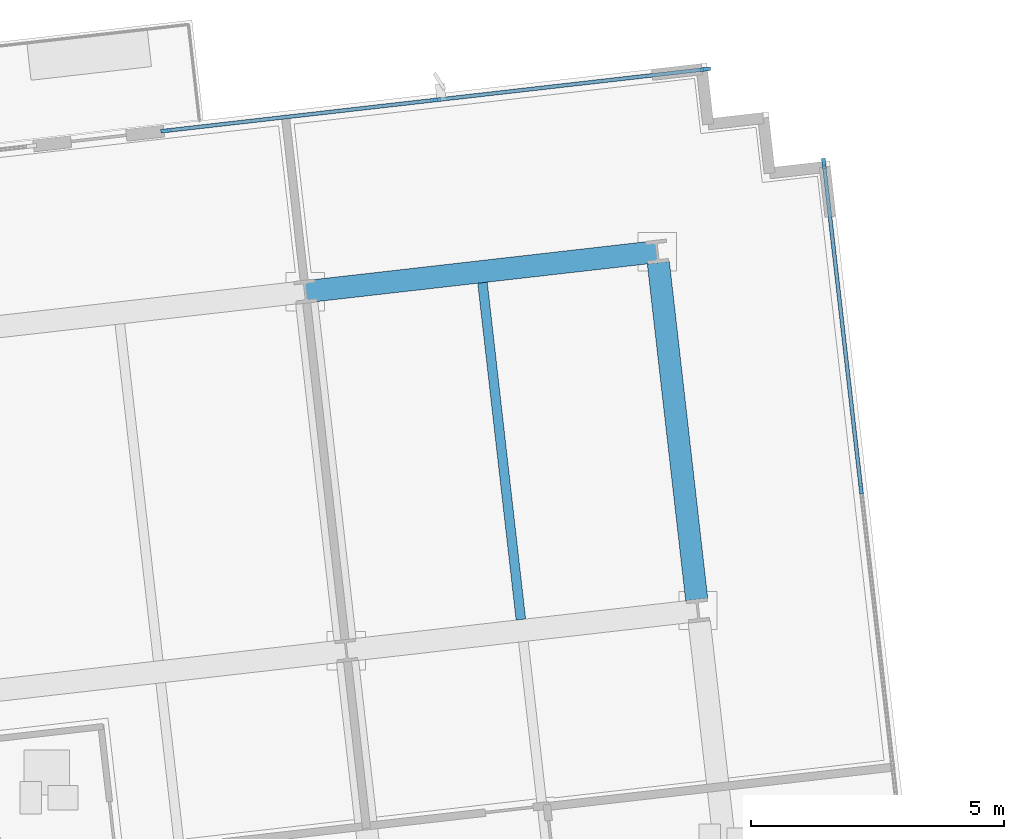
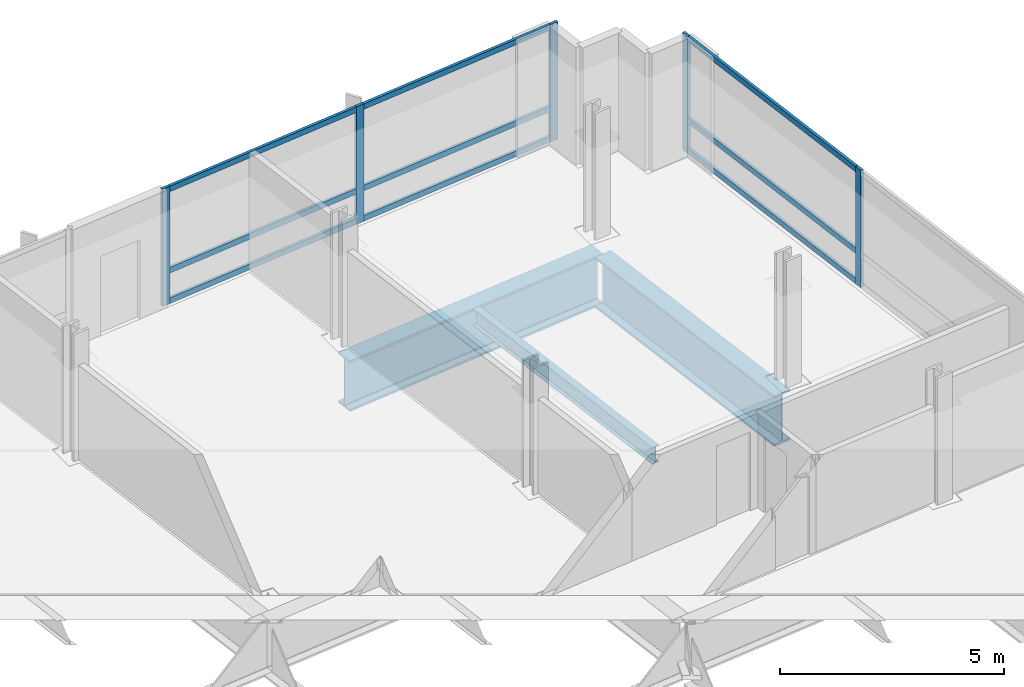
# One storey, part 6 of 15: 14 members, 3 beams, 2 elements without a shape of their own.
"""IFC4 building model written with IfcOpenShell, lengths in metres."""

import ifcopenshell
import ifcopenshell.guid

model = None  # the IFC model being written
_history = None  # IfcOwnerHistory: only IFC2X3 demands one
_inside = {}  # id of a spatial element -> (the spatial element, [elements in it])
_under = {}  # id of a project, library or spatial element -> (it, [spatial elements below it])
_declared = {}  # id of a project -> (the project, [libraries it declares])
_typed = {}  # id of a type object -> (the type object, [elements of that type])
_made_of = {}  # id of a material, layer set ... -> (it, [elements and type objects made of it])


def new_model(schema):
    """Start an empty IFC model of exactly this schema.

    Asked for "IFC4X3", IfcOpenShell would pick the latest addendum, in which some entities
    have other attributes; the version numbers below select the first issue.
    IFC2X3 requires an IfcOwnerHistory on every rooted entity: one is made here for all.
    """
    global model, _history
    if schema == "IFC4X3":
        model = ifcopenshell.file(schema_version=(4, 3, 0, 0))
    else:
        model = ifcopenshell.file(schema=schema)
    _inside.clear()
    _under.clear()
    _declared.clear()
    _typed.clear()
    _made_of.clear()
    _history = None
    if model.schema == "IFC2X3":
        org = make("IfcOrganization", Name="unknown")
        user = make(
            "IfcPersonAndOrganization",
            ThePerson=make("IfcPerson", FamilyName="unknown"),
            TheOrganization=org,
        )
        app = make(
            "IfcApplication",
            ApplicationDeveloper=org,
            Version="unknown",
            ApplicationFullName="unknown",
            ApplicationIdentifier="unknown",
        )
        _history = make(
            "IfcOwnerHistory",
            OwningUser=user,
            OwningApplication=app,
            ChangeAction="ADDED",
            CreationDate=0,
        )
    return model


def make(cls, **values):
    """One entity of the class cls with the attributes given. An attribute that is None is left unset."""
    return model.create_entity(
        cls, **{name: value for name, value in values.items() if value is not None}
    )


def rooted(cls, **values):
    """An entity with a GlobalId (a new one), such as an element, a storey or a relation."""
    return make(cls, GlobalId=ifcopenshell.guid.new(), OwnerHistory=_history, **values)


def si_unit(unit_type, name, prefix=None):
    """IfcSIUnit, for example si_unit("LENGTHUNIT", "METRE", prefix="MILLI")."""
    return make("IfcSIUnit", UnitType=unit_type, Prefix=prefix, Name=name)


def assignment(units):
    """IfcUnitAssignment: the units of a project."""
    return None if units is None else make("IfcUnitAssignment", Units=units)


def point(xyz):
    """IfcCartesianPoint."""
    return None if xyz is None else make("IfcCartesianPoint", Coordinates=xyz)


def direction(xyz):
    """IfcDirection."""
    return None if xyz is None else make("IfcDirection", DirectionRatios=xyz)


def frame(location, z_axis=None, x_axis=None):
    """IfcAxis2Placement3D, a coordinate frame: its origin and axes. An axis left out is left unset."""
    return make(
        "IfcAxis2Placement3D",
        Location=point(location),
        Axis=direction(z_axis),
        RefDirection=direction(x_axis),
    )


def frame_2d(location, x_axis=None):
    """IfcAxis2Placement2D, a coordinate frame in the plane: its origin and x axis."""
    return make(
        "IfcAxis2Placement2D", Location=point(location), RefDirection=direction(x_axis)
    )


def origin():
    """The frame at (0, 0, 0) with its axes left unset."""
    return frame((0.0, 0.0, 0.0))


def origin_2d():
    """The frame at (0, 0) in the plane with its x axis left unset."""
    return frame_2d((0.0, 0.0))


def place(relative_to, where):
    """IfcLocalPlacement: puts the frame where relative to a parent placement (None: the world)."""
    return make(
        "IfcLocalPlacement", PlacementRelTo=relative_to, RelativePlacement=where
    )


def context(
    kind, dimensions, precision=None, world=None, true_north=None, identifier=None
):
    """IfcGeometricRepresentationContext, for example the 3D "Model" context."""
    return make(
        "IfcGeometricRepresentationContext",
        ContextIdentifier=identifier,
        ContextType=kind,
        CoordinateSpaceDimension=dimensions,
        Precision=precision,
        WorldCoordinateSystem=world,
        TrueNorth=true_north,
    )


def subcontext(parent, identifier, kind, view, scale=None):
    """IfcGeometricRepresentationSubContext, for example "Body" below "Model"."""
    return make(
        "IfcGeometricRepresentationSubContext",
        ContextIdentifier=identifier,
        ContextType=kind,
        ParentContext=parent,
        TargetScale=scale,
        TargetView=view,
    )


def project(units=None, contexts=None):
    """IfcProject with its units and contexts."""
    return rooted(
        "IfcProject",
        Name="project",
        RepresentationContexts=contexts,
        UnitsInContext=assignment(units),
    )


def spatial(cls, under=None, at=None, **own):
    """A site, building, storey or space (cls), placed at a placement, below another one or the project."""
    s = rooted(cls, ObjectPlacement=at, **own)
    if under is not None:
        _under.setdefault(under.id(), (under, []))[1].append(s)
    return s


def profile(cls, at=None, kind="AREA", **sizes):
    """A parametric profile (cls). Its sizes go by their IFC names, for example OverallWidth=200.0."""
    return make(cls, ProfileType=kind, Position=at, **sizes)


def rectangle(**sizes):
    """IfcRectangleProfileDef."""
    return profile("IfcRectangleProfileDef", **sizes)


def i_section(**sizes):
    """IfcIShapeProfileDef."""
    return profile("IfcIShapeProfileDef", **sizes)


def extrude(swept, where, along, depth):
    """IfcExtrudedAreaSolid: the profile swept, set in the frame where, extruded along a direction by depth."""
    return make(
        "IfcExtrudedAreaSolid",
        SweptArea=swept,
        Position=where,
        ExtrudedDirection=direction(along),
        Depth=depth,
    )


def shape(context_of_items, identifier, shape_type, items):
    """IfcShapeRepresentation: the items that make up one representation, for example the "Body"."""
    return make(
        "IfcShapeRepresentation",
        ContextOfItems=context_of_items,
        RepresentationIdentifier=identifier,
        RepresentationType=shape_type,
        Items=items,
    )


def material(Name=None, Category=None):
    """IfcMaterial."""
    return make("IfcMaterial", Name=Name, Category=Category)


def material_profile(
    of_material, cross_section, Name=None, Category=None, Priority=None
):
    """IfcMaterialProfile: a cross section and its material."""
    return make(
        "IfcMaterialProfile",
        Name=Name,
        Material=of_material,
        Profile=cross_section,
        Priority=Priority,
        Category=Category,
    )


def profile_set(profiles, Name=None, composite=None):
    """IfcMaterialProfileSet."""
    return make(
        "IfcMaterialProfileSet",
        Name=Name,
        MaterialProfiles=profiles,
        CompositeProfile=composite,
    )


def made_of(thing, what):
    """Note that an element or type object is made of a material, layer set ...; save() writes the relation."""
    if what is not None:
        _made_of.setdefault(what.id(), (what, []))[1].append(thing)
    return thing


def type_object(cls, material=None, **own):
    """A type object (cls), such as IfcWallType, which elements share."""
    return made_of(rooted(cls, **own), material)


def element(
    cls,
    number,
    at=None,
    inside=None,
    cuts=None,
    type_object=None,
    material=None,
    context=None,
    identifier="Body",
    shape_type=None,
    held_by="IfcProductDefinitionShape",
    body=None,
    shapes=None,
    **own,
):
    """One element of the class cls, such as IfcWall. Its Tag is "e" and its number.

    at: its placement. inside: the storey or other place that contains it. cuts: it is an
    opening in that element (IfcRelVoidsElement). A single representation is given by context,
    identifier, shape_type and body (its items); several are given by shapes. held_by: the class
    of the entity that holds the representations. save() writes the other relations.
    """
    e = rooted(cls, Tag="e%d" % number, ObjectPlacement=at, **own)
    if body is not None:
        shapes = [shape(context, identifier, shape_type, body)]
    if shapes is not None:
        e.Representation = make(held_by, Representations=shapes)
    if inside is not None:
        _inside.setdefault(inside.id(), (inside, []))[1].append(e)
    if cuts is not None:
        rooted(
            "IfcRelVoidsElement", RelatingBuildingElement=cuts, RelatedOpeningElement=e
        )
    if type_object is not None:
        _typed.setdefault(type_object.id(), (type_object, []))[1].append(e)
    return made_of(e, material)


def aggregate(whole, parts):
    """IfcRelAggregates: a whole, such as a stair, and the parts it consists of."""
    return rooted("IfcRelAggregates", RelatingObject=whole, RelatedObjects=parts)


def save(model, path):
    """Write the relations noted so far, then the file.

    IfcRelAggregates (storeys below a building ...), IfcRelContainedInSpatialStructure (elements
    in a storey), IfcRelDefinesByType, IfcRelAssociatesMaterial and IfcRelDeclares: one each for
    every whole, place, type object, material and project.
    """
    for whole, parts in _under.values():
        aggregate(whole, parts)
    for where, things in _inside.values():
        rooted(
            "IfcRelContainedInSpatialStructure",
            RelatedElements=things,
            RelatingStructure=where,
        )
    for kind, things in _typed.values():
        rooted("IfcRelDefinesByType", RelatedObjects=things, RelatingType=kind)
    for what, things in _made_of.values():
        rooted("IfcRelAssociatesMaterial", RelatedObjects=things, RelatingMaterial=what)
    for by, libraries in _declared.values():
        rooted("IfcRelDeclares", RelatingContext=by, RelatedDefinitions=libraries)
    model.write(path)


model = new_model("IFC4")

# Units and contexts
model_context = context("Model", 3, precision=1e-05, world=origin(), true_north=direction((0.0, 1.0)))
body_context = subcontext(model_context, "Body", "Model", "MODEL_VIEW")
ifc_project = project(units=[si_unit("LENGTHUNIT", "METRE"), si_unit("AREAUNIT", "SQUARE_METRE"), si_unit("VOLUMEUNIT", "CUBIC_METRE"), si_unit("PLANEANGLEUNIT", "RADIAN"), si_unit("MASSUNIT", "GRAM", prefix="KILO")], contexts=[model_context])

# Site, building, storey
site_placement = place(None, origin())
site = spatial("IfcSite", under=ifc_project, at=site_placement, CompositionType="ELEMENT")
building_placement = place(site_placement, origin())
building = spatial("IfcBuilding", under=site, at=building_placement, Name="Solmavex Isthmus Hotel", CompositionType="ELEMENT")
storey_placement = place(building_placement, frame((0.0, 0.0, 191.699951171875)))
storey = spatial("IfcBuildingStorey", under=building, at=storey_placement, Name="L51", CompositionType="ELEMENT", Elevation=191.699951171875)

# Beams
ifc_material_1 = material(Name="Steel ASTM A992 Grade 50", Category="steel")
ifc_material_profile_1 = material_profile(ifc_material_1, i_section(OverallWidth=0.1904296875, OverallDepth=0.456787109375, WebThickness=0.009033203125, FlangeThickness=0.014404296875, FilletRadius=0.0126953125, at=origin_2d()), Name="W18X50")
ifc_profile_set_1 = profile_set([ifc_material_profile_1], Name="Steel ASTM A992 Grade 50")
beam_type_1 = type_object("IfcBeamType", Name="BM-BJ-W18X50", PredefinedType="JOIST", material=ifc_profile_set_1)
beam_1_placement = place(storey_placement, frame((21.57568359375, 11.899169921875, -0.678466796875), z_axis=(-0.11319369562, 0.993572940086, 0.0), x_axis=(-0.993572940086, -0.11319369562, 0.0)))
element("IfcBeam", 1, at=beam_1_placement, inside=storey, type_object=beam_type_1, Name="Secondary Floor Joist L51-J20", PredefinedType="JOIST", context=body_context, shape_type="SweptSolid", body=[
    extrude(i_section(OverallWidth=0.1904296875, OverallDepth=0.456787109375, WebThickness=0.009033203125, FlangeThickness=0.014404296875, FilletRadius=0.0126953125, at=origin_2d()), origin(), (0.0, 0.0, 1.0), 6.712158203125),
])
ifc_material_2 = material(Name="Steel ASTM A572 Grade 50", Category="steel")
ifc_material_profile_2 = material_profile(ifc_material_2, i_section(OverallWidth=0.43994140625, OverallDepth=1.3798828125, WebThickness=0.030029296875, FlangeThickness=0.054931640625, FilletRadius=0.030517578125, at=origin_2d()), Name="I1380X440")
ifc_profile_set_2 = profile_set([ifc_material_profile_2], Name="Steel ASTM A572 Grade 50")
beam_type_2 = type_object("IfcBeamType", Name="BM-TG-I1380", PredefinedType="BEAM", material=ifc_profile_set_2)
beam_2_placement = place(storey_placement, frame((17.3095703125, 18.39013671875, -1.139892578125), z_axis=(0.99357359356, 0.113187959519, 0.0), x_axis=(-0.113187959519, 0.99357359356, 0.0)))
element("IfcBeam", 2, at=beam_2_placement, inside=storey, type_object=beam_type_2, Name="Outrigger Collector Girder L51-UG23", PredefinedType="BEAM", context=body_context, shape_type="SweptSolid", body=[
    extrude(i_section(OverallWidth=0.43994140625, OverallDepth=1.3798828125, WebThickness=0.030029296875, FlangeThickness=0.054931640625, FilletRadius=0.030517578125, at=origin_2d()), origin(), (0.0, 0.0, 1.0), 7.0078125),
])
beam_3_placement = place(storey_placement, frame((25.05712890625, 12.2958984375, -1.139892578125), z_axis=(-0.11319369562, 0.993572940086, 0.0), x_axis=(-0.993572940086, -0.11319369562, 0.0)))
element("IfcBeam", 3, at=beam_3_placement, inside=storey, type_object=beam_type_2, Name="Outrigger Collector Beam L51-VG45", PredefinedType="BEAM", context=body_context, shape_type="SweptSolid", body=[
    extrude(i_section(OverallWidth=0.43994140625, OverallDepth=1.3798828125, WebThickness=0.030029296875, FlangeThickness=0.054931640625, FilletRadius=0.030517578125, at=origin_2d()), origin(), (0.0, 0.0, 1.0), 6.712158203125),
])

# Curtain wall, members
ifc_material_3 = material(Name="Aluminium alloy 6063-T6", Category="aluminium")
curtain_wall_type = type_object("IfcCurtainWallType", Name="CW-SYS-04", PredefinedType="NOTDEFINED", material=ifc_material_3)
curtain_wall_1_placement = place(storey_placement, origin())
curtain_wall_1 = element("IfcCurtainWall", 4, at=curtain_wall_1_placement, inside=storey, type_object=curtain_wall_type, Name="Stick Curtain Wall CWL-L51-N3", PredefinedType="NOTDEFINED")
ifc_material_profile_3 = material_profile(ifc_material_3, rectangle(XDim=0.074951171875, YDim=0.199951171875, at=origin_2d()), Name="CWM-75X200")
ifc_profile_set_3 = profile_set([ifc_material_profile_3], Name="Aluminium alloy 6063-T6")
member_type_1 = type_object("IfcMemberType", Name="CW-SYS-04-MUL", PredefinedType="MULLION", material=ifc_profile_set_3)
member_1_placement = place(storey_placement, frame((14.54541015625, 21.57763671875, 0.0), z_axis=(0.0, 0.0, 1.0), x_axis=(-0.113203726319, 0.993571797279, 0.0)))
member_1 = element("IfcMember", 5, at=member_1_placement, type_object=member_type_1, Name="CW-04 mullion 1", PredefinedType="MULLION", context=body_context, shape_type="SweptSolid", body=[
    extrude(rectangle(XDim=0.074951171875, YDim=0.199951171875, at=origin_2d()), origin(), (0.0, 0.0, 1.0), 3.18994140625),
])
member_2_placement = place(storey_placement, frame((19.888916015625, 22.1865234375, 0.0), z_axis=(0.0, 0.0, 1.0), x_axis=(-0.113203726319, 0.993571797279, 0.0)))
member_2 = element("IfcMember", 6, at=member_2_placement, type_object=member_type_1, Name="CW-04 mullion 2", PredefinedType="MULLION", context=body_context, shape_type="SweptSolid", body=[
    extrude(rectangle(XDim=0.074951171875, YDim=0.199951171875, at=origin_2d()), origin(), (0.0, 0.0, 1.0), 3.18994140625),
])
member_3_placement = place(storey_placement, frame((25.232177734375, 22.795166015625, 0.0), z_axis=(0.0, 0.0, 1.0), x_axis=(-0.113203726319, 0.993571797279, 0.0)))
member_3 = element("IfcMember", 7, at=member_3_placement, type_object=member_type_1, Name="CW-04 mullion 3", PredefinedType="MULLION", context=body_context, shape_type="SweptSolid", body=[
    extrude(rectangle(XDim=0.074951171875, YDim=0.199951171875, at=origin_2d()), origin(), (0.0, 0.0, 1.0), 3.18994140625),
])

curtain_wall_2_placement = place(storey_placement, origin())
curtain_wall_2 = element("IfcCurtainWall", 8, at=curtain_wall_2_placement, inside=storey, type_object=curtain_wall_type, Name="Stick Curtain Wall CWL-L51-E1", PredefinedType="NOTDEFINED")
member_4_placement = place(storey_placement, frame((28.309814453125, 14.490234375, 0.0), z_axis=(0.0, 0.0, 1.0), x_axis=(-0.993571836648, -0.11320338078, 0.0)))
member_4 = element("IfcMember", 9, at=member_4_placement, type_object=member_type_1, Name="CW-04 mullion 5", PredefinedType="MULLION", context=body_context, shape_type="SweptSolid", body=[
    extrude(rectangle(XDim=0.074951171875, YDim=0.199951171875, at=origin_2d()), origin(), (0.0, 0.0, 1.0), 3.18994140625),
])
member_5_placement = place(storey_placement, frame((27.575927734375, 20.93115234375, 0.0), z_axis=(0.0, 0.0, 1.0), x_axis=(-0.993571836648, -0.11320338078, 0.0)))
member_5 = element("IfcMember", 10, at=member_5_placement, type_object=member_type_1, Name="CW-04 mullion 6", PredefinedType="MULLION", context=body_context, shape_type="SweptSolid", body=[
    extrude(rectangle(XDim=0.074951171875, YDim=0.199951171875, at=origin_2d()), origin(), (0.0, 0.0, 1.0), 3.18994140625),
])

# Member
ifc_material_profile_4 = material_profile(ifc_material_3, rectangle(XDim=0.074951171875, YDim=0.14990234375, at=origin_2d()), Name="CWT-75X150")
ifc_profile_set_4 = profile_set([ifc_material_profile_4], Name="Aluminium alloy 6063-T6")
member_type_2 = type_object("IfcMemberType", Name="CW-SYS-04-TRN", PredefinedType="USERDEFINED", material=ifc_profile_set_4)
member_6_placement = place(storey_placement, frame((14.582763671875, 21.581787109375, 0.074951171875), z_axis=(0.993571049718, 0.113210287348, 0.0), x_axis=(-0.113210287348, 0.993571049718, 0.0)))
member_6 = element("IfcMember", 11, at=member_6_placement, type_object=member_type_2, Name="CW-04 transom 1.1", ObjectType="TRANSOM", PredefinedType="USERDEFINED", context=body_context, shape_type="SweptSolid", body=[
    extrude(rectangle(XDim=0.074951171875, YDim=0.14990234375, at=origin_2d()), origin(), (0.0, 0.0, 1.0), 5.302978515625),
])

member_7_placement = place(storey_placement, frame((14.582763671875, 21.581787109375, 0.900146484375), z_axis=(0.993571049718, 0.113210287348, 0.0), x_axis=(-0.113210287348, 0.993571049718, 0.0)))
member_7 = element("IfcMember", 12, at=member_7_placement, type_object=member_type_2, Name="CW-04 transom 1.2", ObjectType="TRANSOM", PredefinedType="USERDEFINED", context=body_context, shape_type="SweptSolid", body=[
    extrude(rectangle(XDim=0.074951171875, YDim=0.14990234375, at=origin_2d()), origin(), (0.0, 0.0, 1.0), 5.302978515625),
])

member_8_placement = place(storey_placement, frame((14.582763671875, 21.581787109375, 3.114990234375), z_axis=(0.993571049718, 0.113210287348, 0.0), x_axis=(-0.113210287348, 0.993571049718, 0.0)))
member_8 = element("IfcMember", 13, at=member_8_placement, type_object=member_type_2, Name="CW-04 transom 1.3", ObjectType="TRANSOM", PredefinedType="USERDEFINED", context=body_context, shape_type="SweptSolid", body=[
    extrude(rectangle(XDim=0.074951171875, YDim=0.14990234375, at=origin_2d()), origin(), (0.0, 0.0, 1.0), 5.302978515625),
])

member_9_placement = place(storey_placement, frame((19.926025390625, 22.190673828125, 0.074951171875), z_axis=(0.993571639742, 0.113205108986, 0.0), x_axis=(-0.113205108986, 0.993571639742, 0.0)))
member_9 = element("IfcMember", 14, at=member_9_placement, type_object=member_type_2, Name="CW-04 transom 2.1", ObjectType="TRANSOM", PredefinedType="USERDEFINED", context=body_context, shape_type="SweptSolid", body=[
    extrude(rectangle(XDim=0.074951171875, YDim=0.14990234375, at=origin_2d()), origin(), (0.0, 0.0, 1.0), 5.30322265625),
])

member_10_placement = place(storey_placement, frame((19.926025390625, 22.190673828125, 0.900146484375), z_axis=(0.993571639742, 0.113205108986, 0.0), x_axis=(-0.113205108986, 0.993571639742, 0.0)))
member_10 = element("IfcMember", 15, at=member_10_placement, type_object=member_type_2, Name="CW-04 transom 2.2", ObjectType="TRANSOM", PredefinedType="USERDEFINED", context=body_context, shape_type="SweptSolid", body=[
    extrude(rectangle(XDim=0.074951171875, YDim=0.14990234375, at=origin_2d()), origin(), (0.0, 0.0, 1.0), 5.30322265625),
])

member_11_placement = place(storey_placement, frame((19.926025390625, 22.190673828125, 3.114990234375), z_axis=(0.993571639742, 0.113205108986, 0.0), x_axis=(-0.113205108986, 0.993571639742, 0.0)))
member_11 = element("IfcMember", 16, at=member_11_placement, type_object=member_type_2, Name="CW-04 transom 2.3", ObjectType="TRANSOM", PredefinedType="USERDEFINED", context=body_context, shape_type="SweptSolid", body=[
    extrude(rectangle(XDim=0.074951171875, YDim=0.14990234375, at=origin_2d()), origin(), (0.0, 0.0, 1.0), 5.30322265625),
])

aggregate(curtain_wall_1, [member_1, member_2, member_3, member_6, member_7, member_8, member_9, member_10, member_11])

member_12_placement = place(storey_placement, frame((28.305419921875, 14.527587890625, 0.074951171875), z_axis=(-0.113203780919, 0.993571791058, 0.0), x_axis=(-0.993571791058, -0.113203780919, 0.0)))
member_12 = element("IfcMember", 17, at=member_12_placement, type_object=member_type_2, Name="CW-04 transom 5.1", ObjectType="TRANSOM", PredefinedType="USERDEFINED", context=body_context, shape_type="SweptSolid", body=[
    extrude(rectangle(XDim=0.074951171875, YDim=0.14990234375, at=origin_2d()), origin(), (0.0, 0.0, 1.0), 6.407470703125),
])

member_13_placement = place(storey_placement, frame((28.305419921875, 14.527587890625, 0.900146484375), z_axis=(-0.113203780919, 0.993571791058, 0.0), x_axis=(-0.993571791058, -0.113203780919, 0.0)))
member_13 = element("IfcMember", 18, at=member_13_placement, type_object=member_type_2, Name="CW-04 transom 5.2", ObjectType="TRANSOM", PredefinedType="USERDEFINED", context=body_context, shape_type="SweptSolid", body=[
    extrude(rectangle(XDim=0.074951171875, YDim=0.14990234375, at=origin_2d()), origin(), (0.0, 0.0, 1.0), 6.407470703125),
])

member_14_placement = place(storey_placement, frame((28.305419921875, 14.527587890625, 3.114990234375), z_axis=(-0.113203780919, 0.993571791058, 0.0), x_axis=(-0.993571791058, -0.113203780919, 0.0)))
member_14 = element("IfcMember", 19, at=member_14_placement, type_object=member_type_2, Name="CW-04 transom 5.3", ObjectType="TRANSOM", PredefinedType="USERDEFINED", context=body_context, shape_type="SweptSolid", body=[
    extrude(rectangle(XDim=0.074951171875, YDim=0.14990234375, at=origin_2d()), origin(), (0.0, 0.0, 1.0), 6.407470703125),
])

aggregate(curtain_wall_2, [member_4, member_5, member_12, member_13, member_14])

save(model, "model.ifc")
